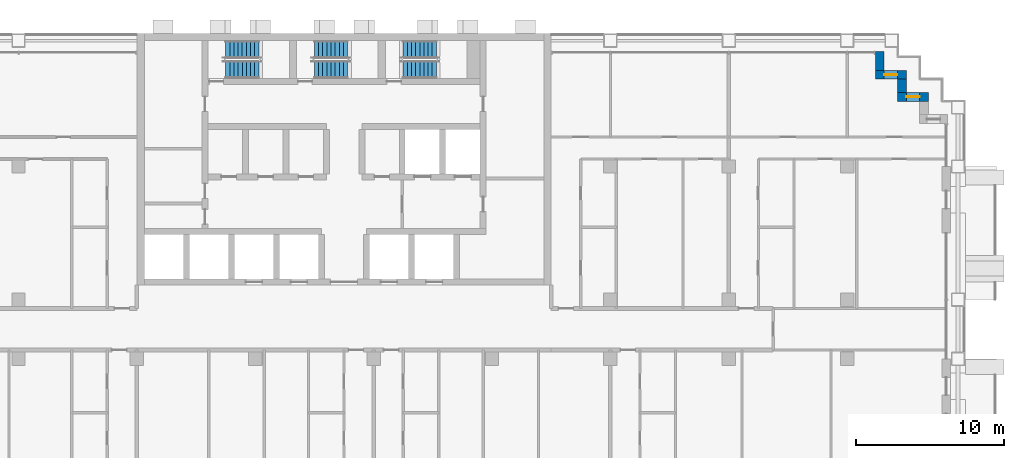
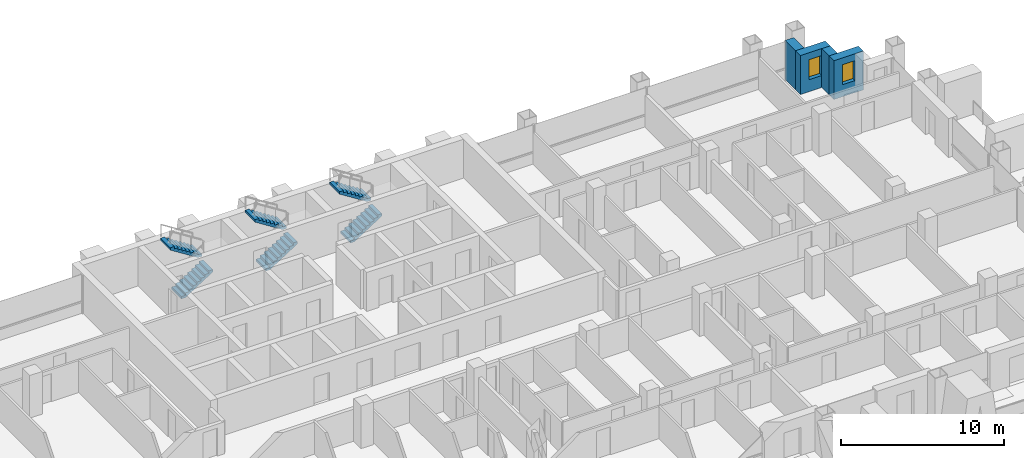
# One storey, part 14 of 17: 6 stair flights, 4 walls, 2 windows, 2 openings, 3 elements without a shape of their own.
"""IFC4 building model written with IfcOpenShell, lengths in metres."""

from ifc_helpers import new_model, si_unit, direction, frame, frame_2d, origin, place, context, subcontext, project, spatial, polyline, rectangle, outline, extrude, material, layer, layer_set, type_object, element, fill, aggregate, save


model = new_model("IFC4")

# Units and contexts
model_context = context("Model", 3, precision=1e-05, world=origin(), true_north=direction((0.0, 1.0)))
body_context = subcontext(model_context, "Body", "Model", "MODEL_VIEW")
ifc_project = project(units=[si_unit("LENGTHUNIT", "METRE"), si_unit("AREAUNIT", "SQUARE_METRE"), si_unit("VOLUMEUNIT", "CUBIC_METRE"), si_unit("PLANEANGLEUNIT", "RADIAN"), si_unit("MASSUNIT", "GRAM", prefix="KILO")], contexts=[model_context])

# Site, building, storey
site_placement = place(None, origin())
site = spatial("IfcSite", under=ifc_project, at=site_placement, CompositionType="ELEMENT")
building_placement = place(site_placement, origin())
building = spatial("IfcBuilding", under=site, at=building_placement, Name="Vidyagriha Tower", CompositionType="ELEMENT")
storey_placement = place(building_placement, frame((0.0, 0.0, 87.10009765625)))
storey = spatial("IfcBuildingStorey", under=building, at=storey_placement, Name="L22", CompositionType="ELEMENT", Elevation=87.10009765625)

# Wall, opening, window
ifc_material_1 = material(Name="Precast concrete C40/50 with brick facing", Category="concrete")
ifc_layer = layer(ifc_material_1, 0.60009765625)
ifc_layer_set = layer_set([ifc_layer], Name="Precast concrete C40/50 with brick facing")
wall_type = type_object("IfcWallType", Name="Brick-faced precast wall 600", PredefinedType="STANDARD", material=ifc_layer_set)
wall_1_placement = place(storey_placement, frame((39.5, 15.699951171875, 0.0), z_axis=(0.0, 0.0, 1.0), x_axis=(-1.0, 0.0, 0.0)))
wall_1 = element("IfcWall", 1, at=wall_1_placement, inside=storey, type_object=wall_type, Name="Stepped corner wall L22 R03", PredefinedType="STANDARD", context=body_context, shape_type="SweptSolid", body=[
    extrude(rectangle(XDim=2.10009765625, YDim=0.60009765625, at=frame_2d((1.050048828125, 0.0))), origin(), (0.0, 0.0, 1.0), 2.919921875),
])
opening_1_placement = place(wall_1_placement, frame((0.60009765625, 0.0, 0.89990234375)))
opening_1 = element("IfcOpeningElement", 2, at=opening_1_placement, cuts=wall_1, Name="Opening WN1", PredefinedType="OPENING", context=body_context, shape_type="SweptSolid", body=[
    extrude(rectangle(XDim=0.89990234375, YDim=1.5, at=frame_2d((0.449951171875, 0.75))), frame((0.0, 0.31005859375, 0.0), z_axis=(0.0, -1.0, 0.0), x_axis=(1.0, 0.0, 0.0)), (0.0, 0.0, 1.0), 0.6201171875),
])
ifc_material_2 = material(Name="Aluminium and glass window", Category="aluminium")
window_type = type_object("IfcWindowType", Name="Reveal window 900x1500", PartitioningType="NOTDEFINED", PredefinedType="WINDOW", material=ifc_material_2)
window_1_placement = place(opening_1_placement, origin())
window_1 = element("IfcWindow", 3, at=window_1_placement, inside=storey, type_object=window_type, Name="Reveal window L22 R03", OverallHeight=1.5, OverallWidth=0.89990234375, PartitioningType="SINGLE_PANEL", PredefinedType="WINDOW", context=body_context, shape_type="SweptSolid", body=[
    extrude(rectangle(XDim=0.89990234375, YDim=1.5, at=frame_2d((0.449951171875, 0.75))), frame((0.0, 0.030029296875, 0.0), z_axis=(0.0, -1.0, 0.0), x_axis=(1.0, 0.0, 0.0)), (0.0, 0.0, 1.0), 0.06005859375),
])
fill(opening_1, window_1)

# Wall
wall_2_placement = place(storey_placement, frame((37.699951171875, 16.0, 0.0), z_axis=(0.0, 0.0, 1.0), x_axis=(0.0, 1.0, 0.0)))
element("IfcWall", 4, at=wall_2_placement, inside=storey, type_object=wall_type, Name="Stepped corner wall L22 R04", PredefinedType="STANDARD", context=body_context, shape_type="SweptSolid", body=[
    extrude(rectangle(XDim=0.89990234375, YDim=0.60009765625, at=frame_2d((0.449951171875, 0.0))), origin(), (0.0, 0.0, 1.0), 2.919921875),
])

# Wall, opening, window
wall_3_placement = place(storey_placement, frame((38.0, 17.199951171875, 0.0), z_axis=(0.0, 0.0, 1.0), x_axis=(-1.0, 0.0, 0.0)))
wall_3 = element("IfcWall", 5, at=wall_3_placement, inside=storey, type_object=wall_type, Name="Stepped corner wall L22 R05", PredefinedType="STANDARD", context=body_context, shape_type="SweptSolid", body=[
    extrude(rectangle(XDim=2.10009765625, YDim=0.60009765625, at=frame_2d((1.050048828125, 0.0))), origin(), (0.0, 0.0, 1.0), 2.919921875),
])
opening_2_placement = place(wall_3_placement, frame((0.60009765625, 0.0, 0.89990234375)))
opening_2 = element("IfcOpeningElement", 6, at=opening_2_placement, cuts=wall_3, Name="Opening WN1", PredefinedType="OPENING", context=body_context, shape_type="SweptSolid", body=[
    extrude(rectangle(XDim=0.89990234375, YDim=1.5, at=frame_2d((0.449951171875, 0.75))), frame((0.0, 0.31005859375, 0.0), z_axis=(0.0, -1.0, 0.0), x_axis=(1.0, 0.0, 0.0)), (0.0, 0.0, 1.0), 0.6201171875),
])
window_2_placement = place(opening_2_placement, origin())
window_2 = element("IfcWindow", 7, at=window_2_placement, inside=storey, type_object=window_type, Name="Reveal window L22 R05", OverallHeight=1.5, OverallWidth=0.89990234375, PartitioningType="SINGLE_PANEL", PredefinedType="WINDOW", context=body_context, shape_type="SweptSolid", body=[
    extrude(rectangle(XDim=0.89990234375, YDim=1.5, at=frame_2d((0.449951171875, 0.75))), frame((0.0, 0.030029296875, 0.0), z_axis=(0.0, -1.0, 0.0), x_axis=(1.0, 0.0, 0.0)), (0.0, 0.0, 1.0), 0.06005859375),
])
fill(opening_2, window_2)

# Wall
wall_4_placement = place(storey_placement, frame((36.199951171875, 17.5, 0.0), z_axis=(0.0, 0.0, 1.0), x_axis=(0.0, 1.0, 0.0)))
element("IfcWall", 8, at=wall_4_placement, inside=storey, type_object=wall_type, Name="Stepped corner wall L22 R06", PredefinedType="STANDARD", context=body_context, shape_type="SweptSolid", body=[
    extrude(rectangle(XDim=1.280029296875, YDim=0.60009765625, at=frame_2d((0.64013671875, 0.0))), origin(), (0.0, 0.0, 1.0), 2.919921875),
])

# Stair, stair flights
ifc_material_3 = material(Name="Concrete C40/50", Category="concrete")
stair_type = type_object("IfcStairType", Name="Exit stair, half-turn, precast flights", PredefinedType="HALF_TURN_STAIR", material=ifc_material_3)
stair_1_placement = place(storey_placement, origin())
stair_1 = element("IfcStair", 9, at=stair_1_placement, inside=storey, type_object=stair_type, Name="L22 Exit Stair ST1", PredefinedType="HALF_TURN_STAIR")
ifc_material_4 = material(Name="Precast concrete C40/50", Category="concrete")
stair_flight_type = type_object("IfcStairFlightType", Name="Exit stair flight 1200 mm, precast", PredefinedType="STRAIGHT", material=ifc_material_4)
stair_flight_1_placement = place(storey_placement, frame((-8.0, 17.550048828125, 0.0)))
stair_flight_1 = element("IfcStairFlight", 10, at=stair_flight_1_placement, type_object=stair_flight_type, Name="ST1 flight 1", NumberOfRisers=9, NumberOfTreads=8, PredefinedType="STRAIGHT", RiserHeight=0.177777778, TreadLength=0.28, context=body_context, shape_type="SweptSolid", body=[
    extrude(outline(polyline([(0.0, 0.0), (0.0, 0.177734375), (0.280029296875, 0.177734375), (0.280029296875, 0.35546875), (0.56005859375, 0.35546875), (0.56005859375, 0.533447265625), (0.840087890625, 0.533447265625), (0.840087890625, 0.711181640625), (1.1201171875, 0.711181640625), (1.1201171875, 0.888916015625), (1.39990234375, 0.888916015625), (1.39990234375, 1.066650390625), (1.679931640625, 1.066650390625), (1.679931640625, 1.244384765625), (1.9599609375, 1.244384765625), (1.9599609375, 1.422119140625), (2.239990234375, 1.422119140625), (2.239990234375, 1.60009765625), (2.239990234375, 1.24462890625), (0.27978515625, 0.0), (0.0, 0.0)])), frame((0.0, 0.60009765625, 0.0), z_axis=(0.0, -1.0, 0.0), x_axis=(1.0, 0.0, 0.0)), (0.0, 0.0, 1.0), 1.199951171875),
])
stair_flight_2_placement = place(storey_placement, frame((-5.760009765625, 18.89990234375, 1.599853515625), z_axis=(0.0, 0.0, 1.0), x_axis=(-1.0, 0.0, 0.0)))
stair_flight_2 = element("IfcStairFlight", 11, at=stair_flight_2_placement, type_object=stair_flight_type, Name="ST1 flight 2", NumberOfRisers=9, NumberOfTreads=8, PredefinedType="STRAIGHT", RiserHeight=0.177777778, TreadLength=0.28, context=body_context, shape_type="SweptSolid", body=[
    extrude(outline(polyline([(0.0, 0.0), (0.0, 0.177734375), (0.280029296875, 0.177734375), (0.280029296875, 0.35546875), (0.56005859375, 0.35546875), (0.56005859375, 0.533447265625), (0.840087890625, 0.533447265625), (0.840087890625, 0.711181640625), (1.1201171875, 0.711181640625), (1.1201171875, 0.888916015625), (1.39990234375, 0.888916015625), (1.39990234375, 1.066650390625), (1.679931640625, 1.066650390625), (1.679931640625, 1.244384765625), (1.9599609375, 1.244384765625), (1.9599609375, 1.422119140625), (2.239990234375, 1.422119140625), (2.239990234375, 1.60009765625), (2.239990234375, 1.24462890625), (0.27978515625, 0.0), (0.0, 0.0)])), frame((0.0, 0.60009765625, 0.0), z_axis=(0.0, -1.0, 0.0), x_axis=(1.0, 0.0, 0.0)), (0.0, 0.0, 1.0), 1.199951171875),
])
aggregate(stair_1, [stair_flight_1, stair_flight_2])

stair_2_placement = place(storey_placement, origin())
stair_2 = element("IfcStair", 12, at=stair_2_placement, inside=storey, type_object=stair_type, Name="L22 Exit Stair ST2", PredefinedType="HALF_TURN_STAIR")
stair_flight_3_placement = place(storey_placement, frame((-2.0, 17.550048828125, 0.0)))
stair_flight_3 = element("IfcStairFlight", 13, at=stair_flight_3_placement, type_object=stair_flight_type, Name="ST2 flight 1", NumberOfRisers=9, NumberOfTreads=8, PredefinedType="STRAIGHT", RiserHeight=0.177777778, TreadLength=0.28, context=body_context, shape_type="SweptSolid", body=[
    extrude(outline(polyline([(0.0, 0.0), (0.0, 0.177734375), (0.280029296875, 0.177734375), (0.280029296875, 0.35546875), (0.56005859375, 0.35546875), (0.56005859375, 0.533447265625), (0.840087890625, 0.533447265625), (0.840087890625, 0.711181640625), (1.1201171875, 0.711181640625), (1.1201171875, 0.888916015625), (1.39990234375, 0.888916015625), (1.39990234375, 1.066650390625), (1.679931640625, 1.066650390625), (1.679931640625, 1.244384765625), (1.9599609375, 1.244384765625), (1.9599609375, 1.422119140625), (2.239990234375, 1.422119140625), (2.239990234375, 1.60009765625), (2.239990234375, 1.24462890625), (0.27978515625, 0.0), (0.0, 0.0)])), frame((0.0, 0.60009765625, 0.0), z_axis=(0.0, -1.0, 0.0), x_axis=(1.0, 0.0, 0.0)), (0.0, 0.0, 1.0), 1.199951171875),
])
stair_flight_4_placement = place(storey_placement, frame((0.239990234375, 18.89990234375, 1.599853515625), z_axis=(0.0, 0.0, 1.0), x_axis=(-1.0, 0.0, 0.0)))
stair_flight_4 = element("IfcStairFlight", 14, at=stair_flight_4_placement, type_object=stair_flight_type, Name="ST2 flight 2", NumberOfRisers=9, NumberOfTreads=8, PredefinedType="STRAIGHT", RiserHeight=0.177777778, TreadLength=0.28, context=body_context, shape_type="SweptSolid", body=[
    extrude(outline(polyline([(0.0, 0.0), (0.0, 0.177734375), (0.280029296875, 0.177734375), (0.280029296875, 0.35546875), (0.56005859375, 0.35546875), (0.56005859375, 0.533447265625), (0.840087890625, 0.533447265625), (0.840087890625, 0.711181640625), (1.1201171875, 0.711181640625), (1.1201171875, 0.888916015625), (1.39990234375, 0.888916015625), (1.39990234375, 1.066650390625), (1.679931640625, 1.066650390625), (1.679931640625, 1.244384765625), (1.9599609375, 1.244384765625), (1.9599609375, 1.422119140625), (2.239990234375, 1.422119140625), (2.239990234375, 1.60009765625), (2.239990234375, 1.24462890625), (0.27978515625, 0.0), (0.0, 0.0)])), frame((0.0, 0.60009765625, 0.0), z_axis=(0.0, -1.0, 0.0), x_axis=(1.0, 0.0, 0.0)), (0.0, 0.0, 1.0), 1.199951171875),
])
aggregate(stair_2, [stair_flight_3, stair_flight_4])

stair_3_placement = place(storey_placement, origin())
stair_3 = element("IfcStair", 15, at=stair_3_placement, inside=storey, type_object=stair_type, Name="L22 Exit Stair ST3", PredefinedType="HALF_TURN_STAIR")
stair_flight_5_placement = place(storey_placement, frame((4.0, 17.550048828125, 0.0)))
stair_flight_5 = element("IfcStairFlight", 16, at=stair_flight_5_placement, type_object=stair_flight_type, Name="ST3 flight 1", NumberOfRisers=9, NumberOfTreads=8, PredefinedType="STRAIGHT", RiserHeight=0.177777778, TreadLength=0.28, context=body_context, shape_type="SweptSolid", body=[
    extrude(outline(polyline([(0.0, 0.0), (0.0, 0.177734375), (0.280029296875, 0.177734375), (0.280029296875, 0.35546875), (0.56005859375, 0.35546875), (0.56005859375, 0.533447265625), (0.840087890625, 0.533447265625), (0.840087890625, 0.711181640625), (1.1201171875, 0.711181640625), (1.1201171875, 0.888916015625), (1.39990234375, 0.888916015625), (1.39990234375, 1.066650390625), (1.679931640625, 1.066650390625), (1.679931640625, 1.244384765625), (1.9599609375, 1.244384765625), (1.9599609375, 1.422119140625), (2.239990234375, 1.422119140625), (2.239990234375, 1.60009765625), (2.239990234375, 1.24462890625), (0.27978515625, 0.0), (0.0, 0.0)])), frame((0.0, 0.60009765625, 0.0), z_axis=(0.0, -1.0, 0.0), x_axis=(1.0, 0.0, 0.0)), (0.0, 0.0, 1.0), 1.199951171875),
])
stair_flight_6_placement = place(storey_placement, frame((6.239990234375, 18.89990234375, 1.599853515625), z_axis=(0.0, 0.0, 1.0), x_axis=(-1.0, 0.0, 0.0)))
stair_flight_6 = element("IfcStairFlight", 17, at=stair_flight_6_placement, type_object=stair_flight_type, Name="ST3 flight 2", NumberOfRisers=9, NumberOfTreads=8, PredefinedType="STRAIGHT", RiserHeight=0.177777778, TreadLength=0.28, context=body_context, shape_type="SweptSolid", body=[
    extrude(outline(polyline([(0.0, 0.0), (0.0, 0.177734375), (0.280029296875, 0.177734375), (0.280029296875, 0.35546875), (0.56005859375, 0.35546875), (0.56005859375, 0.533447265625), (0.840087890625, 0.533447265625), (0.840087890625, 0.711181640625), (1.1201171875, 0.711181640625), (1.1201171875, 0.888916015625), (1.39990234375, 0.888916015625), (1.39990234375, 1.066650390625), (1.679931640625, 1.066650390625), (1.679931640625, 1.244384765625), (1.9599609375, 1.244384765625), (1.9599609375, 1.422119140625), (2.239990234375, 1.422119140625), (2.239990234375, 1.60009765625), (2.239990234375, 1.24462890625), (0.27978515625, 0.0), (0.0, 0.0)])), frame((0.0, 0.60009765625, 0.0), z_axis=(0.0, -1.0, 0.0), x_axis=(1.0, 0.0, 0.0)), (0.0, 0.0, 1.0), 1.199951171875),
])
aggregate(stair_3, [stair_flight_5, stair_flight_6])

save(model, "model.ifc")
